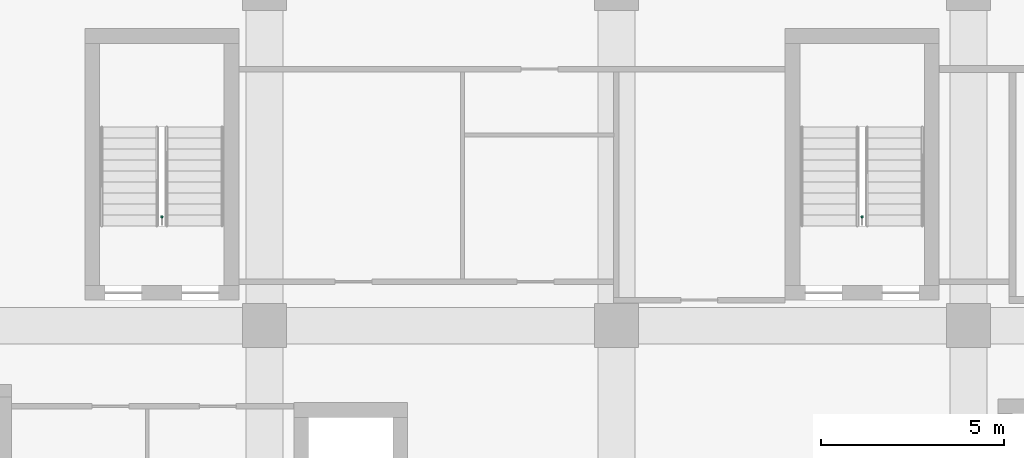
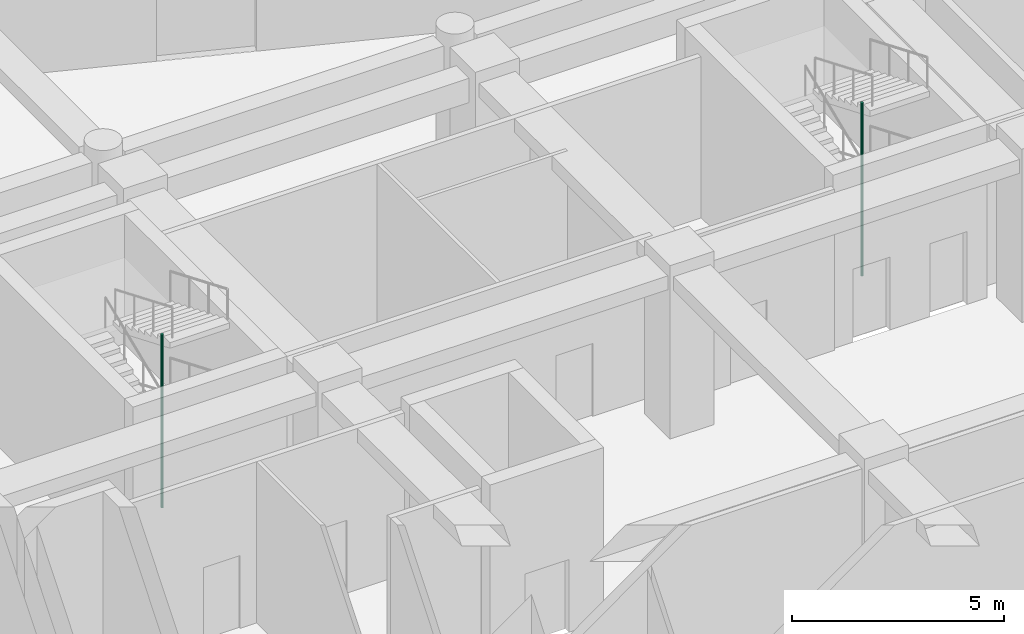
# One storey, part 21 of 31: 2 pipe segments.
"""IFC4 building model written with IfcOpenShell, lengths in metres."""

from ifc_helpers import new_model, si_unit, direction, frame, origin, origin_2d, place, context, subcontext, project, spatial, circle, extrude, element, save


model = new_model("IFC4")

# Units and contexts
model_context = context("Model", 3, precision=1e-05, world=origin(), true_north=direction((0.0, 1.0)))
body_context = subcontext(model_context, "Body", "Model", "MODEL_VIEW")
ifc_project = project(units=[si_unit("LENGTHUNIT", "METRE"), si_unit("AREAUNIT", "SQUARE_METRE"), si_unit("VOLUMEUNIT", "CUBIC_METRE"), si_unit("PLANEANGLEUNIT", "RADIAN"), si_unit("MASSUNIT", "GRAM", prefix="KILO")], contexts=[model_context])

# Site, building, storey
site_placement = place(None, origin())
site = spatial("IfcSite", under=ifc_project, at=site_placement, CompositionType="ELEMENT")
building_placement = place(site_placement, origin())
building = spatial("IfcBuilding", under=site, at=building_placement, Name="Nzadi Deep Aquarium and Research Tower", CompositionType="ELEMENT")
storey_placement = place(building_placement, frame((0.0, 0.0, 21.699951171875)))
storey = spatial("IfcBuildingStorey", under=building, at=storey_placement, Name="L03", CompositionType="ELEMENT", Elevation=21.699951171875)

# Pipe segments
for number, where, z_axis, x_axis, name in (
    (1, (6.800048828125, 39.77001953125, 0.0), (0.0, 0.0, 1.0), (1.0, 0.0, 0.0), "Dry riser ST-Z1-NW L03"),
    (2, (25.89990234375, 39.77001953125, 0.0), (0.0, 0.0, 1.0), (1.0, 0.0, 0.0), "Dry riser ST-Z1-NE L03"),
):
    element("IfcPipeSegment", number, at=place(storey_placement, frame(where, z_axis=z_axis, x_axis=x_axis)), inside=storey, Name=name, PredefinedType="RIGIDSEGMENT", context=body_context, shape_type="SweptSolid", body=[
        extrude(circle(Radius=0.034912109375, at=origin_2d()), origin(), (0.0, 0.0, 1.0), 5.0),
    ])

save(model, "model.ifc")
